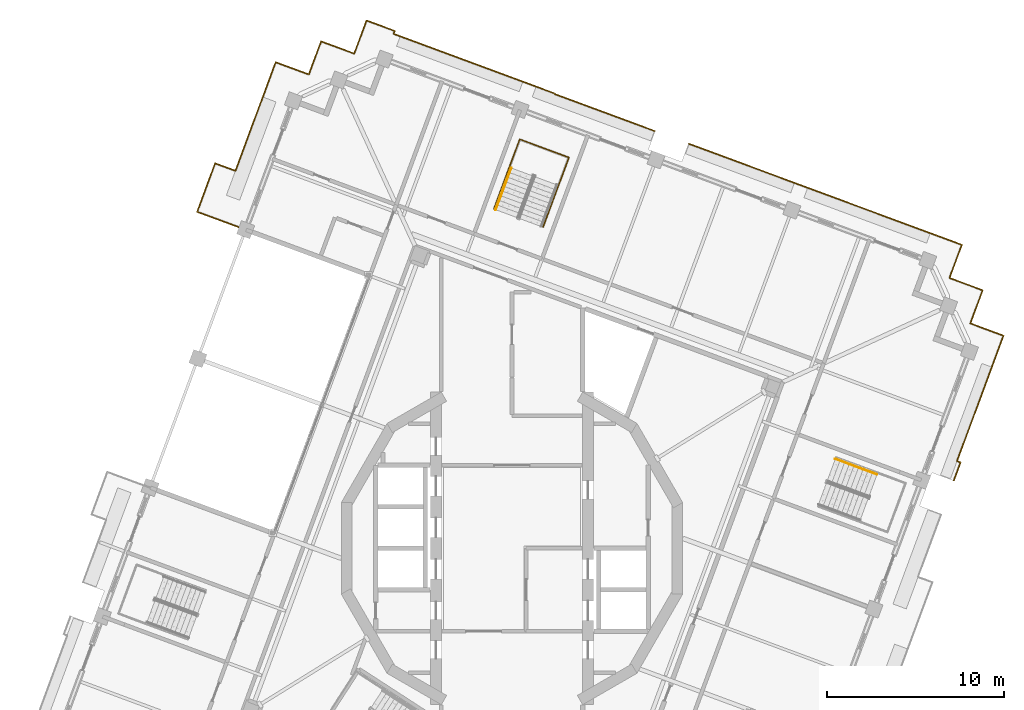
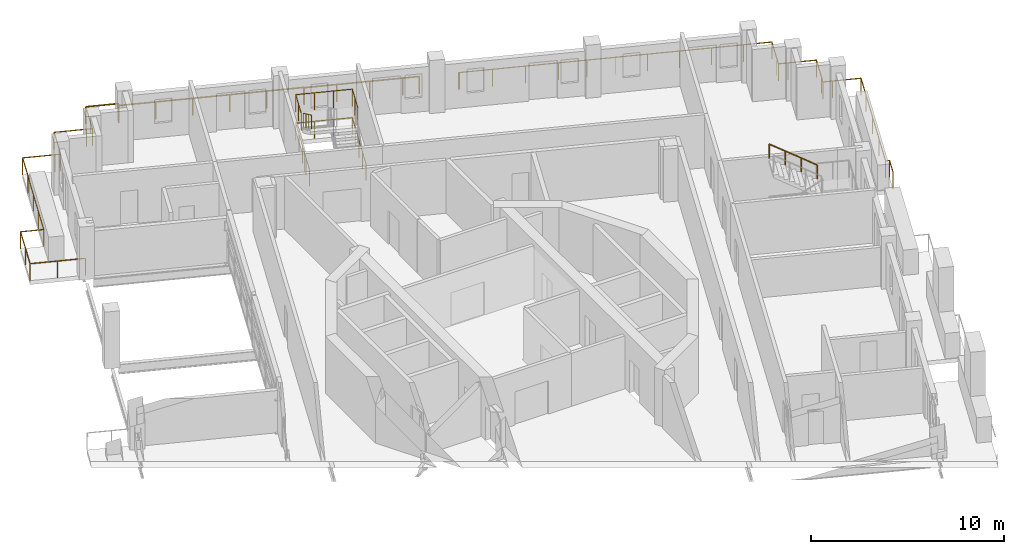
# One storey, part 19 of 20: 8 railings.
"""IFC4 building model written with IfcOpenShell, lengths in metres."""

from ifc_helpers import new_model, si_unit, direction, frame, origin, origin_2d, place, context, subcontext, project, spatial, circle, extrude, material, type_object, element, save


model = new_model("IFC4")

# Units and contexts
model_context = context("Model", 3, precision=1e-05, world=origin(), true_north=direction((0.0, 1.0)))
body_context = subcontext(model_context, "Body", "Model", "MODEL_VIEW")
ifc_project = project(units=[si_unit("LENGTHUNIT", "METRE"), si_unit("AREAUNIT", "SQUARE_METRE"), si_unit("VOLUMEUNIT", "CUBIC_METRE"), si_unit("PLANEANGLEUNIT", "RADIAN"), si_unit("MASSUNIT", "GRAM", prefix="KILO")], contexts=[model_context])

# Site, building, storey
site_placement = place(None, origin())
site = spatial("IfcSite", under=ifc_project, at=site_placement, CompositionType="ELEMENT")
building_placement = place(site_placement, origin())
building = spatial("IfcBuilding", under=site, at=building_placement, Name="Cantera Rosa Tower", CompositionType="ELEMENT")
storey_placement = place(building_placement, frame((0.0, 0.0, 309.699951171875)))
storey = spatial("IfcBuildingStorey", under=building, at=storey_placement, Name="L68", CompositionType="ELEMENT", Elevation=309.699951171875)

# Railings
ifc_material_1 = material(Name="Stainless steel and laminated glass", Category="steel")
railing_type_1 = type_object("IfcRailingType", Name="GUARD 1100", PredefinedType="BALUSTRADE", material=ifc_material_1)
railing_1_placement = place(storey_placement, frame((-8.23291015625, 29.872314453125, 0.0)))
element("IfcRailing", 1, at=railing_1_placement, inside=storey, type_object=railing_type_1, Name="GUARD L68-4", PredefinedType="BALUSTRADE", context=body_context, shape_type="SweptSolid", body=[
    extrude(circle(Radius=0.030029296875, at=origin_2d()), frame((0.0, 0.0, 1.070068359375), z_axis=(0.93766211216, -0.347548217403, 0.0), x_axis=(0.347548217403, 0.93766211216, 0.0)), (0.0, 0.0, 1.0), 1.699951171875),
    extrude(circle(Radius=0.030029296875, at=origin_2d()), frame((1.593994140625, -0.5908203125, 1.070068359375), z_axis=(-0.346946854775, -0.937884790346, 0.0), x_axis=(0.937884790346, -0.346946854775, 0.0)), (0.0, 0.0, 1.0), 0.173095703125),
    extrude(circle(Radius=0.030029296875, at=origin_2d()), frame((1.533935546875, -0.753173828125, 1.070068359375), z_axis=(0.937685768229, -0.347484388226, 0.0), x_axis=(0.347484388226, 0.937685768229, 0.0)), (0.0, 0.0, 1.0), 9.726806640625),
    extrude(circle(Radius=0.030029296875, at=origin_2d()), frame((10.654541015625, -4.133056640625, 1.070068359375), z_axis=(-0.346127430472, -0.93818750891, 0.0), x_axis=(0.93818750891, -0.346127430472, 0.0)), (0.0, 0.0, 1.0), 0.02685546875),
    extrude(circle(Radius=0.030029296875, at=origin_2d()), frame((10.645263671875, -4.158203125, 1.070068359375), z_axis=(0.937685555013, -0.347484963589, 0.0), x_axis=(0.347484963589, 0.937685555013, 0.0)), (0.0, 0.0, 1.0), 5.173095703125),
    extrude(circle(Radius=0.030029296875, at=origin_2d()), frame((15.49609375, -5.955810546875, 1.070068359375), z_axis=(0.937694580373, -0.347460607753, 0.0), x_axis=(0.347460607753, 0.937694580373, 0.0)), (0.0, 0.0, 1.0), 0.869873046875),
    extrude(circle(Radius=0.02490234375, at=origin_2d()), origin(), (0.0, 0.0, 1.0), 1.0400390625),
    extrude(circle(Radius=0.02490234375, at=origin_2d()), frame((1.593994140625, -0.5908203125, 0.0)), (0.0, 0.0, 1.0), 1.0400390625),
    extrude(circle(Radius=0.02490234375, at=origin_2d()), frame((1.533935546875, -0.753173828125, 0.0)), (0.0, 0.0, 1.0), 1.0400390625),
    extrude(circle(Radius=0.02490234375, at=origin_2d()), frame((3.358154296875, -1.42919921875, 0.0)), (0.0, 0.0, 1.0), 1.0400390625),
    extrude(circle(Radius=0.02490234375, at=origin_2d()), frame((5.18212890625, -2.105224609375, 0.0)), (0.0, 0.0, 1.0), 1.0400390625),
    extrude(circle(Radius=0.02490234375, at=origin_2d()), frame((7.00634765625, -2.781005859375, 0.0)), (0.0, 0.0, 1.0), 1.0400390625),
    extrude(circle(Radius=0.02490234375, at=origin_2d()), frame((8.830322265625, -3.45703125, 0.0)), (0.0, 0.0, 1.0), 1.0400390625),
    extrude(circle(Radius=0.02490234375, at=origin_2d()), frame((10.654541015625, -4.133056640625, 0.0)), (0.0, 0.0, 1.0), 1.0400390625),
    extrude(circle(Radius=0.02490234375, at=origin_2d()), frame((10.645263671875, -4.158203125, 0.0)), (0.0, 0.0, 1.0), 1.0400390625),
    extrude(circle(Radius=0.02490234375, at=origin_2d()), frame((12.26220703125, -4.75732421875, 0.0)), (0.0, 0.0, 1.0), 1.0400390625),
    extrude(circle(Radius=0.02490234375, at=origin_2d()), frame((13.879150390625, -5.356689453125, 0.0)), (0.0, 0.0, 1.0), 1.0400390625),
    extrude(circle(Radius=0.02490234375, at=origin_2d()), frame((15.49609375, -5.955810546875, 0.0)), (0.0, 0.0, 1.0), 1.0400390625),
    extrude(circle(Radius=0.02490234375, at=origin_2d()), frame((16.311767578125, -6.258056640625, 0.0)), (0.0, 0.0, 1.0), 1.0400390625),
])
railing_2_placement = place(storey_placement, frame((-15.092529296875, 18.038330078125, 0.0)))
element("IfcRailing", 2, at=railing_2_placement, inside=storey, type_object=railing_type_1, Name="GUARD L68-5", PredefinedType="BALUSTRADE", context=body_context, shape_type="SweptSolid", body=[
    extrude(circle(Radius=0.030029296875, at=origin_2d()), frame((0.0, 0.0, 1.070068359375), z_axis=(-0.937662552655, 0.347547028974, 0.0), x_axis=(-0.347547028974, -0.937662552655, 0.0)), (0.0, 0.0, 1.0), 2.90478515625),
    extrude(circle(Radius=0.030029296875, at=origin_2d()), frame((-2.7236328125, 1.009521484375, 1.070068359375), z_axis=(0.3474339808, 0.9377044465, 0.0), x_axis=(-0.9377044465, 0.3474339808, 0.0)), (0.0, 0.0, 1.0), 2.924560546875),
    extrude(circle(Radius=0.030029296875, at=origin_2d()), frame((-1.70751953125, 3.751953125, 1.070068359375), z_axis=(0.937722312445, -0.34738575783, 0.0), x_axis=(0.34738575783, 0.937722312445, 0.0)), (0.0, 0.0, 1.0), 1.224853515625),
    extrude(circle(Radius=0.030029296875, at=origin_2d()), frame((-0.558837890625, 3.326416015625, 1.070068359375), z_axis=(0.347478129695, 0.93768808747, 0.0), x_axis=(-0.93768808747, 0.347478129695, 0.0)), (0.0, 0.0, 1.0), 4.85498046875),
    extrude(circle(Radius=0.030029296875, at=origin_2d()), frame((1.128173828125, 7.87890625, 1.070068359375), z_axis=(0.347501421626, 0.937679455874, 0.0), x_axis=(-0.937679455874, 0.347501421626, 0.0)), (0.0, 0.0, 1.0), 1.7001953125),
    extrude(circle(Radius=0.030029296875, at=origin_2d()), frame((1.718994140625, 9.47314453125, 1.070068359375), z_axis=(0.93766211216, -0.347548217403, 0.0), x_axis=(0.347548217403, 0.93766211216, 0.0)), (0.0, 0.0, 1.0), 1.699951171875),
    extrude(circle(Radius=0.030029296875, at=origin_2d()), frame((3.31298828125, 8.88232421875, 1.070068359375), z_axis=(0.937660365215, -0.347552930509, 0.0), x_axis=(0.347552930509, 0.937660365215, 0.0)), (0.0, 0.0, 1.0), 0.300048828125),
    extrude(circle(Radius=0.030029296875, at=origin_2d()), frame((3.59423828125, 8.778076171875, 1.070068359375), z_axis=(0.347552930509, 0.937660365215, 0.0), x_axis=(-0.937660365215, 0.347552930509, 0.0)), (0.0, 0.0, 1.0), 0.300048828125),
    extrude(circle(Radius=0.030029296875, at=origin_2d()), frame((3.698486328125, 9.059326171875, 1.070068359375), z_axis=(0.347501421626, 0.937679455874, 0.0), x_axis=(-0.937679455874, 0.347501421626, 0.0)), (0.0, 0.0, 1.0), 1.7001953125),
    extrude(circle(Radius=0.030029296875, at=origin_2d()), frame((4.289306640625, 10.653564453125, 1.070068359375), z_axis=(0.93766211216, -0.347548217403, 0.0), x_axis=(0.347548217403, 0.93766211216, 0.0)), (0.0, 0.0, 1.0), 1.699951171875),
    extrude(circle(Radius=0.030029296875, at=origin_2d()), frame((5.88330078125, 10.062744140625, 1.070068359375), z_axis=(0.937660365215, -0.347552930509, 0.0), x_axis=(0.347552930509, 0.937660365215, 0.0)), (0.0, 0.0, 1.0), 0.300048828125),
    extrude(circle(Radius=0.030029296875, at=origin_2d()), frame((6.16455078125, 9.95849609375, 1.070068359375), z_axis=(0.347509146147, 0.937676593151, 0.0), x_axis=(-0.937676593151, 0.347509146147, 0.0)), (0.0, 0.0, 1.0), 2.000244140625),
    extrude(circle(Radius=0.02490234375, at=origin_2d()), origin(), (0.0, 0.0, 1.0), 1.0400390625),
    extrude(circle(Radius=0.02490234375, at=origin_2d()), frame((-1.36181640625, 0.5048828125, 0.0)), (0.0, 0.0, 1.0), 1.0400390625),
    extrude(circle(Radius=0.02490234375, at=origin_2d()), frame((-2.7236328125, 1.009521484375, 0.0)), (0.0, 0.0, 1.0), 1.0400390625),
    extrude(circle(Radius=0.02490234375, at=origin_2d()), frame((-2.215576171875, 2.380859375, 0.0)), (0.0, 0.0, 1.0), 1.0400390625),
    extrude(circle(Radius=0.02490234375, at=origin_2d()), frame((-1.70751953125, 3.751953125, 0.0)), (0.0, 0.0, 1.0), 1.0400390625),
    extrude(circle(Radius=0.02490234375, at=origin_2d()), frame((-0.558837890625, 3.326416015625, 0.0)), (0.0, 0.0, 1.0), 1.0400390625),
    extrude(circle(Radius=0.02490234375, at=origin_2d()), frame((0.00341796875, 4.843994140625, 0.0)), (0.0, 0.0, 1.0), 1.0400390625),
    extrude(circle(Radius=0.02490234375, at=origin_2d()), frame((0.56591796875, 6.361328125, 0.0)), (0.0, 0.0, 1.0), 1.0400390625),
    extrude(circle(Radius=0.02490234375, at=origin_2d()), frame((1.128173828125, 7.87890625, 0.0)), (0.0, 0.0, 1.0), 1.0400390625),
    extrude(circle(Radius=0.02490234375, at=origin_2d()), frame((1.718994140625, 9.47314453125, 0.0)), (0.0, 0.0, 1.0), 1.0400390625),
    extrude(circle(Radius=0.02490234375, at=origin_2d()), frame((3.31298828125, 8.88232421875, 0.0)), (0.0, 0.0, 1.0), 1.0400390625),
    extrude(circle(Radius=0.02490234375, at=origin_2d()), frame((3.59423828125, 8.778076171875, 0.0)), (0.0, 0.0, 1.0), 1.0400390625),
    extrude(circle(Radius=0.02490234375, at=origin_2d()), frame((3.698486328125, 9.059326171875, 0.0)), (0.0, 0.0, 1.0), 1.0400390625),
    extrude(circle(Radius=0.02490234375, at=origin_2d()), frame((4.289306640625, 10.653564453125, 0.0)), (0.0, 0.0, 1.0), 1.0400390625),
    extrude(circle(Radius=0.02490234375, at=origin_2d()), frame((5.88330078125, 10.062744140625, 0.0)), (0.0, 0.0, 1.0), 1.0400390625),
    extrude(circle(Radius=0.02490234375, at=origin_2d()), frame((6.16455078125, 9.95849609375, 0.0)), (0.0, 0.0, 1.0), 1.0400390625),
    extrude(circle(Radius=0.02490234375, at=origin_2d()), frame((6.859619140625, 11.833984375, 0.0)), (0.0, 0.0, 1.0), 1.0400390625),
])
railing_3_placement = place(storey_placement, frame((26.408447265625, 12.555908203125, 0.0)))
element("IfcRailing", 3, at=railing_3_placement, inside=storey, type_object=railing_type_1, Name="GUARD L68-8", PredefinedType="BALUSTRADE", context=body_context, shape_type="SweptSolid", body=[
    extrude(circle(Radius=0.030029296875, at=origin_2d()), frame((0.0, 0.0, 1.070068359375), z_axis=(0.93769967459, -0.347446859641, 0.0), x_axis=(0.347446859641, 0.93769967459, 0.0)), (0.0, 0.0, 1.0), 1.500244140625),
    extrude(circle(Radius=0.030029296875, at=origin_2d()), frame((1.40673828125, -0.521240234375, 1.070068359375), z_axis=(-0.347499887537, -0.937680024402, 0.0), x_axis=(0.937680024402, -0.347499887537, 0.0)), (0.0, 0.0, 1.0), 1.5),
    extrude(circle(Radius=0.030029296875, at=origin_2d()), frame((0.885498046875, -1.927734375, 1.070068359375), z_axis=(-0.347479430906, -0.937687605281, 0.0), x_axis=(0.937687605281, -0.347479430906, 0.0)), (0.0, 0.0, 1.0), 6.069091796875),
    extrude(circle(Radius=0.030029296875, at=origin_2d()), frame((-1.223388671875, -7.61865234375, 1.070068359375), z_axis=(0.937748760724, -0.347314355824, 0.0), x_axis=(0.347314355824, 0.937748760724, 0.0)), (0.0, 0.0, 1.0), 0.2109375),
    extrude(circle(Radius=0.030029296875, at=origin_2d()), frame((-1.025634765625, -7.69189453125, 1.070068359375), z_axis=(-0.347358490331, -0.937732413429, 0.0), x_axis=(0.937732413429, -0.347358490331, 0.0)), (0.0, 0.0, 1.0), 1.0810546875),
    extrude(circle(Radius=0.02490234375, at=origin_2d()), origin(), (0.0, 0.0, 1.0), 1.0400390625),
    extrude(circle(Radius=0.02490234375, at=origin_2d()), frame((1.40673828125, -0.521240234375, 0.0)), (0.0, 0.0, 1.0), 1.0400390625),
    extrude(circle(Radius=0.02490234375, at=origin_2d()), frame((0.885498046875, -1.927734375, 0.0)), (0.0, 0.0, 1.0), 1.0400390625),
    extrude(circle(Radius=0.02490234375, at=origin_2d()), frame((0.1826171875, -3.82470703125, 0.0)), (0.0, 0.0, 1.0), 1.0400390625),
    extrude(circle(Radius=0.02490234375, at=origin_2d()), frame((-0.5205078125, -5.7216796875, 0.0)), (0.0, 0.0, 1.0), 1.0400390625),
    extrude(circle(Radius=0.02490234375, at=origin_2d()), frame((-1.223388671875, -7.61865234375, 0.0)), (0.0, 0.0, 1.0), 1.0400390625),
    extrude(circle(Radius=0.02490234375, at=origin_2d()), frame((-1.025634765625, -7.69189453125, 0.0)), (0.0, 0.0, 1.0), 1.0400390625),
    extrude(circle(Radius=0.02490234375, at=origin_2d()), frame((-1.401123046875, -8.70556640625, 0.0)), (0.0, 0.0, 1.0), 1.0400390625),
])
railing_4_placement = place(storey_placement, frame((10.010498046875, 22.8984375, 0.0)))
element("IfcRailing", 4, at=railing_4_placement, inside=storey, type_object=railing_type_1, Name="GUARD L68-9", PredefinedType="BALUSTRADE", context=body_context, shape_type="SweptSolid", body=[
    extrude(circle(Radius=0.030029296875, at=origin_2d()), frame((0.0, 0.0, 1.070068359375), z_axis=(0.937327749542, -0.348448977525, 0.0), x_axis=(0.348448977525, 0.937327749542, 0.0)), (0.0, 0.0, 1.0), 0.070068359375),
    extrude(circle(Radius=0.030029296875, at=origin_2d()), frame((0.065673828125, -0.0244140625, 1.070068359375), z_axis=(0.937688147358, -0.347477968085, 0.0), x_axis=(0.347477968085, 0.937688147358, 0.0)), (0.0, 0.0, 1.0), 5.199951171875),
    extrude(circle(Radius=0.030029296875, at=origin_2d()), frame((4.941650390625, -1.831298828125, 1.070068359375), z_axis=(0.937680024402, -0.347499887537, 0.0), x_axis=(0.347499887537, 0.937680024402, 0.0)), (0.0, 0.0, 1.0), 3.0),
    extrude(circle(Radius=0.030029296875, at=origin_2d()), frame((7.754638671875, -2.873779296875, 1.070068359375), z_axis=(0.937686328856, -0.347482875373, 0.0), x_axis=(0.347482875373, 0.937686328856, 0.0)), (0.0, 0.0, 1.0), 6.699951171875),
    extrude(circle(Radius=0.030029296875, at=origin_2d()), frame((14.037109375, -5.201904296875, 1.070068359375), z_axis=(0.93769967459, -0.347446859641, 0.0), x_axis=(0.347446859641, 0.93769967459, 0.0)), (0.0, 0.0, 1.0), 1.500244140625),
    extrude(circle(Radius=0.030029296875, at=origin_2d()), frame((15.44384765625, -5.72314453125, 1.070068359375), z_axis=(-0.347499887537, -0.937680024402, 0.0), x_axis=(0.937680024402, -0.347499887537, 0.0)), (0.0, 0.0, 1.0), 1.5),
    extrude(circle(Radius=0.030029296875, at=origin_2d()), frame((14.922607421875, -7.129638671875, 1.070068359375), z_axis=(-0.347696042931, -0.937607306781, 0.0), x_axis=(0.937607306781, -0.347696042931, 0.0)), (0.0, 0.0, 1.0), 0.5),
    extrude(circle(Radius=0.030029296875, at=origin_2d()), frame((14.748779296875, -7.598388671875, 1.070068359375), z_axis=(0.937607306781, -0.347696042931, 0.0), x_axis=(0.347696042931, 0.937607306781, 0.0)), (0.0, 0.0, 1.0), 0.5),
    extrude(circle(Radius=0.030029296875, at=origin_2d()), frame((15.217529296875, -7.772216796875, 1.070068359375), z_axis=(0.93769967459, -0.347446859641, 0.0), x_axis=(0.347446859641, 0.93769967459, 0.0)), (0.0, 0.0, 1.0), 1.500244140625),
    extrude(circle(Radius=0.030029296875, at=origin_2d()), frame((16.624267578125, -8.29345703125, 1.070068359375), z_axis=(-0.347499887537, -0.937680024402, 0.0), x_axis=(0.937680024402, -0.347499887537, 0.0)), (0.0, 0.0, 1.0), 1.5),
    extrude(circle(Radius=0.030029296875, at=origin_2d()), frame((16.10302734375, -9.699951171875, 1.070068359375), z_axis=(-0.347696042931, -0.937607306781, 0.0), x_axis=(0.937607306781, -0.347696042931, 0.0)), (0.0, 0.0, 1.0), 0.5),
    extrude(circle(Radius=0.030029296875, at=origin_2d()), frame((15.92919921875, -10.168701171875, 1.070068359375), z_axis=(0.937607306781, -0.347696042931, 0.0), x_axis=(0.347696042931, 0.937607306781, 0.0)), (0.0, 0.0, 1.0), 0.5),
    extrude(circle(Radius=0.02490234375, at=origin_2d()), origin(), (0.0, 0.0, 1.0), 1.0400390625),
    extrude(circle(Radius=0.02490234375, at=origin_2d()), frame((0.065673828125, -0.0244140625, 0.0)), (0.0, 0.0, 1.0), 1.0400390625),
    extrude(circle(Radius=0.02490234375, at=origin_2d()), frame((1.69091796875, -0.626708984375, 0.0)), (0.0, 0.0, 1.0), 1.0400390625),
    extrude(circle(Radius=0.02490234375, at=origin_2d()), frame((3.31640625, -1.22900390625, 0.0)), (0.0, 0.0, 1.0), 1.0400390625),
    extrude(circle(Radius=0.02490234375, at=origin_2d()), frame((4.941650390625, -1.831298828125, 0.0)), (0.0, 0.0, 1.0), 1.0400390625),
    extrude(circle(Radius=0.02490234375, at=origin_2d()), frame((6.34814453125, -2.3525390625, 0.0)), (0.0, 0.0, 1.0), 1.0400390625),
    extrude(circle(Radius=0.02490234375, at=origin_2d()), frame((7.754638671875, -2.873779296875, 0.0)), (0.0, 0.0, 1.0), 1.0400390625),
    extrude(circle(Radius=0.02490234375, at=origin_2d()), frame((9.3251953125, -3.455810546875, 0.0)), (0.0, 0.0, 1.0), 1.0400390625),
    extrude(circle(Radius=0.02490234375, at=origin_2d()), frame((10.89599609375, -4.037841796875, 0.0)), (0.0, 0.0, 1.0), 1.0400390625),
    extrude(circle(Radius=0.02490234375, at=origin_2d()), frame((12.466552734375, -4.619873046875, 0.0)), (0.0, 0.0, 1.0), 1.0400390625),
    extrude(circle(Radius=0.02490234375, at=origin_2d()), frame((14.037109375, -5.201904296875, 0.0)), (0.0, 0.0, 1.0), 1.0400390625),
    extrude(circle(Radius=0.02490234375, at=origin_2d()), frame((15.44384765625, -5.72314453125, 0.0)), (0.0, 0.0, 1.0), 1.0400390625),
    extrude(circle(Radius=0.02490234375, at=origin_2d()), frame((14.922607421875, -7.129638671875, 0.0)), (0.0, 0.0, 1.0), 1.0400390625),
    extrude(circle(Radius=0.02490234375, at=origin_2d()), frame((14.748779296875, -7.598388671875, 0.0)), (0.0, 0.0, 1.0), 1.0400390625),
    extrude(circle(Radius=0.02490234375, at=origin_2d()), frame((15.217529296875, -7.772216796875, 0.0)), (0.0, 0.0, 1.0), 1.0400390625),
    extrude(circle(Radius=0.02490234375, at=origin_2d()), frame((16.624267578125, -8.29345703125, 0.0)), (0.0, 0.0, 1.0), 1.0400390625),
    extrude(circle(Radius=0.02490234375, at=origin_2d()), frame((16.10302734375, -9.699951171875, 0.0)), (0.0, 0.0, 1.0), 1.0400390625),
    extrude(circle(Radius=0.02490234375, at=origin_2d()), frame((15.92919921875, -10.168701171875, 0.0)), (0.0, 0.0, 1.0), 1.0400390625),
    extrude(circle(Radius=0.02490234375, at=origin_2d()), frame((16.39794921875, -10.342529296875, 0.0)), (0.0, 0.0, 1.0), 1.0400390625),
])
ifc_material_2 = material(Name="Steel S355J2 (EN 10025-2)", Category="steel")
railing_type_2 = type_object("IfcRailingType", Name="STAIR GUARD 1100", PredefinedType="GUARDRAIL", material=ifc_material_2)
railing_5_placement = place(storey_placement, frame((1.762939453125, 18.182373046875, 0.0)))
element("IfcRailing", 5, at=railing_5_placement, inside=storey, type_object=railing_type_2, Name="L68 ST-62 stair guard 4", PredefinedType="GUARDRAIL", context=body_context, shape_type="SweptSolid", body=[
    extrude(circle(Radius=0.02392578125, at=origin_2d()), frame((0.0, 0.0, 1.076171875), z_axis=(0.347475346394, 0.937689118871, 0.0), x_axis=(-0.937689118871, 0.347475346394, 0.0)), (0.0, 0.0, 1.0), 4.197998046875),
    extrude(circle(Radius=0.02392578125, at=origin_2d()), frame((1.458740234375, 3.9365234375, 1.076171875), z_axis=(-0.937690243436, 0.347472311651, 0.0), x_axis=(-0.347472311651, -0.937690243436, 0.0)), (0.0, 0.0, 1.0), 2.969970703125),
    extrude(circle(Radius=0.02392578125, at=origin_2d()), frame((-1.326171875, 4.968505859375, 1.076171875), z_axis=(-0.347475346394, -0.937689118871, 0.0), x_axis=(0.937689118871, -0.347475346394, 0.0)), (0.0, 0.0, 1.0), 4.197998046875),
    extrude(circle(Radius=0.02099609375, at=origin_2d()), origin(), (0.0, 0.0, 1.0), 1.052001953125),
    extrude(circle(Radius=0.02099609375, at=origin_2d()), frame((0.36474609375, 0.984130859375, 0.0)), (0.0, 0.0, 1.0), 1.052001953125),
    extrude(circle(Radius=0.02099609375, at=origin_2d()), frame((0.7294921875, 1.96826171875, 0.0)), (0.0, 0.0, 1.0), 1.052001953125),
    extrude(circle(Radius=0.02099609375, at=origin_2d()), frame((1.093994140625, 2.952392578125, 0.0)), (0.0, 0.0, 1.0), 1.052001953125),
    extrude(circle(Radius=0.02099609375, at=origin_2d()), frame((1.458740234375, 3.9365234375, 0.0)), (0.0, 0.0, 1.0), 1.052001953125),
    extrude(circle(Radius=0.02099609375, at=origin_2d()), frame((0.530517578125, 4.280517578125, 0.0)), (0.0, 0.0, 1.0), 1.052001953125),
    extrude(circle(Radius=0.02099609375, at=origin_2d()), frame((-0.39794921875, 4.62451171875, 0.0)), (0.0, 0.0, 1.0), 1.052001953125),
    extrude(circle(Radius=0.02099609375, at=origin_2d()), frame((-1.326171875, 4.968505859375, 0.0)), (0.0, 0.0, 1.0), 1.052001953125),
    extrude(circle(Radius=0.02099609375, at=origin_2d()), frame((-1.69091796875, 3.984375, 0.0)), (0.0, 0.0, 1.0), 1.052001953125),
    extrude(circle(Radius=0.02099609375, at=origin_2d()), frame((-2.0556640625, 3.000244140625, 0.0)), (0.0, 0.0, 1.0), 1.052001953125),
    extrude(circle(Radius=0.02099609375, at=origin_2d()), frame((-2.420166015625, 2.01611328125, 0.0)), (0.0, 0.0, 1.0), 1.052001953125),
    extrude(circle(Radius=0.02099609375, at=origin_2d()), frame((-2.784912109375, 1.031982421875, 0.0)), (0.0, 0.0, 1.0), 1.052001953125),
])
railing_6_placement = place(storey_placement, frame((2.630126953125, 20.52294921875, 1.800048828125)))
element("IfcRailing", 6, at=railing_6_placement, inside=storey, type_object=railing_type_2, Name="L68 ST-62 stair guard 5", PredefinedType="GUARDRAIL", context=body_context, shape_type="SweptSolid", body=[
    extrude(circle(Radius=0.02392578125, at=origin_2d()), frame((0.0, 0.0, 1.076171875), z_axis=(0.347552602091, 0.937660486946, 0.0), x_axis=(-0.937660486946, 0.347552602091, 0.0)), (0.0, 0.0, 1.0), 1.7021484375),
    extrude(circle(Radius=0.02392578125, at=origin_2d()), frame((0.591552734375, 1.595947265625, 1.076171875), z_axis=(-0.937690243436, 0.347472311651, 0.0), x_axis=(-0.347472311651, -0.937690243436, 0.0)), (0.0, 0.0, 1.0), 2.969970703125),
    extrude(circle(Radius=0.02392578125, at=origin_2d()), frame((-2.193359375, 2.6279296875, 1.076171875), z_axis=(-0.347552602091, -0.937660486946, 0.0), x_axis=(0.937660486946, -0.347552602091, 0.0)), (0.0, 0.0, 1.0), 1.7021484375),
    extrude(circle(Radius=0.02099609375, at=origin_2d()), origin(), (0.0, 0.0, 1.0), 1.052001953125),
    extrude(circle(Radius=0.02099609375, at=origin_2d()), frame((0.2958984375, 0.7978515625, 0.0)), (0.0, 0.0, 1.0), 1.052001953125),
    extrude(circle(Radius=0.02099609375, at=origin_2d()), frame((0.591552734375, 1.595947265625, 0.0)), (0.0, 0.0, 1.0), 1.052001953125),
    extrude(circle(Radius=0.02099609375, at=origin_2d()), frame((-0.336669921875, 1.93994140625, 0.0)), (0.0, 0.0, 1.0), 1.052001953125),
    extrude(circle(Radius=0.02099609375, at=origin_2d()), frame((-1.26513671875, 2.283935546875, 0.0)), (0.0, 0.0, 1.0), 1.052001953125),
    extrude(circle(Radius=0.02099609375, at=origin_2d()), frame((-2.193359375, 2.6279296875, 0.0)), (0.0, 0.0, 1.0), 1.052001953125),
    extrude(circle(Radius=0.02099609375, at=origin_2d()), frame((-2.4892578125, 1.830078125, 0.0)), (0.0, 0.0, 1.0), 1.052001953125),
    extrude(circle(Radius=0.02099609375, at=origin_2d()), frame((-2.784912109375, 1.031982421875, 0.0)), (0.0, 0.0, 1.0), 1.052001953125),
])
ifc_material_3 = material(Name="Steel S355J2 (EN 10025-2)", Category="steel")
railing_type_3 = type_object("IfcRailingType", Name="STAIR HANDRAIL 900", PredefinedType="HANDRAIL", material=ifc_material_3)
railing_7_placement = place(storey_placement, frame((20.660400390625, 4.181396484375, 1.97998046875)))
element("IfcRailing", 7, at=railing_7_placement, inside=storey, type_object=railing_type_3, Name="L68 ST-61 stair handrail 2", PredefinedType="HANDRAIL", context=body_context, shape_type="SweptSolid", body=[
    extrude(circle(Radius=0.02392578125, at=origin_2d()), frame((0.0, 0.0, 0.8759765625), z_axis=(-0.788747577403, 0.292306804437, 0.540771662738), x_axis=(-0.347500508527, -0.937679794265, 0.0)), (0.0, 0.0, 1.0), 2.995849609375),
    extrude(circle(Radius=0.02099609375, at=origin_2d()), origin(), (0.0, 0.0, 1.0), 0.851806640625),
    extrude(circle(Radius=0.02099609375, at=origin_2d()), frame((-0.78759765625, 0.2919921875, 0.5400390625)), (0.0, 0.0, 1.0), 0.851806640625),
    extrude(circle(Radius=0.02099609375, at=origin_2d()), frame((-1.575439453125, 0.583740234375, 1.080078125)), (0.0, 0.0, 1.0), 0.851806640625),
    extrude(circle(Radius=0.02099609375, at=origin_2d()), frame((-2.363037109375, 0.875732421875, 1.6201171875)), (0.0, 0.0, 1.0), 0.851806640625),
])
railing_8_placement = place(storey_placement, frame((-0.04736328125, 21.52783203125, 1.97998046875)))
element("IfcRailing", 8, at=railing_8_placement, inside=storey, type_object=railing_type_3, Name="L68 ST-62 stair handrail 2", PredefinedType="HANDRAIL", context=body_context, shape_type="SweptSolid", body=[
    extrude(circle(Radius=0.02392578125, at=origin_2d()), frame((0.0, 0.0, 0.8759765625), z_axis=(-0.292325593449, -0.788716780987, 0.540806422673), x_axis=(0.937668094043, -0.347532078253, 0.0)), (0.0, 0.0, 1.0), 2.995849609375),
    extrude(circle(Radius=0.02099609375, at=origin_2d()), origin(), (0.0, 0.0, 1.0), 0.851806640625),
    extrude(circle(Radius=0.02099609375, at=origin_2d()), frame((-0.2919921875, -0.78759765625, 0.5400390625)), (0.0, 0.0, 1.0), 0.851806640625),
    extrude(circle(Radius=0.02099609375, at=origin_2d()), frame((-0.583740234375, -1.5751953125, 1.080078125)), (0.0, 0.0, 1.0), 0.851806640625),
    extrude(circle(Radius=0.02099609375, at=origin_2d()), frame((-0.875732421875, -2.36279296875, 1.6201171875)), (0.0, 0.0, 1.0), 0.851806640625),
])

save(model, "model.ifc")
